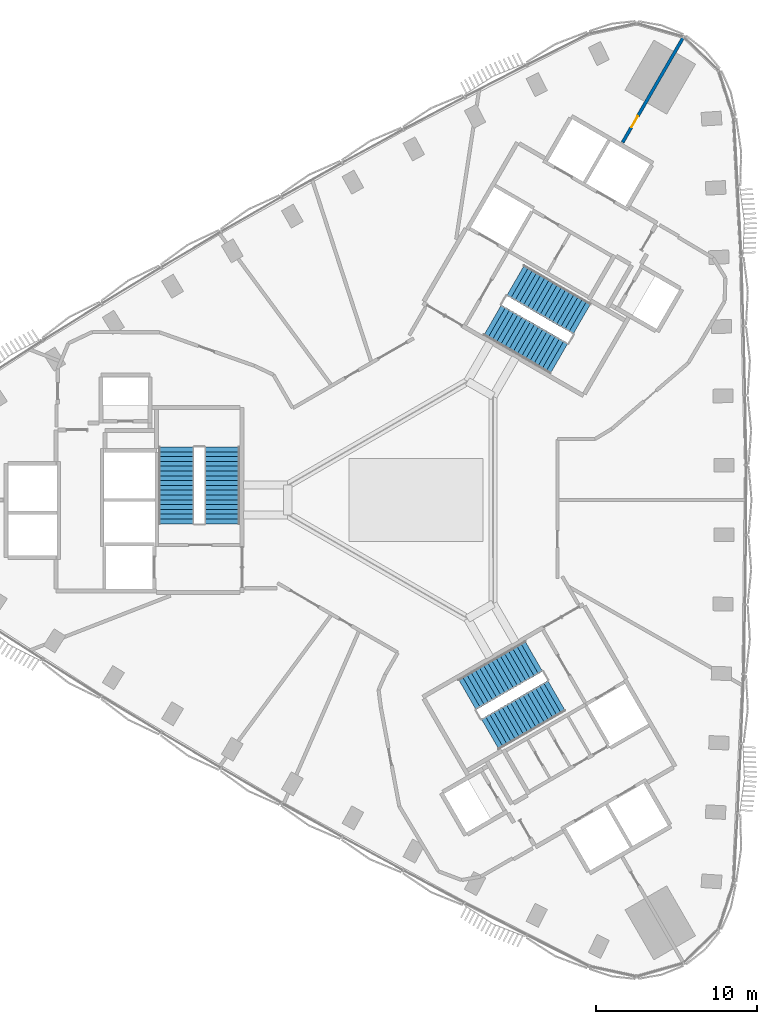
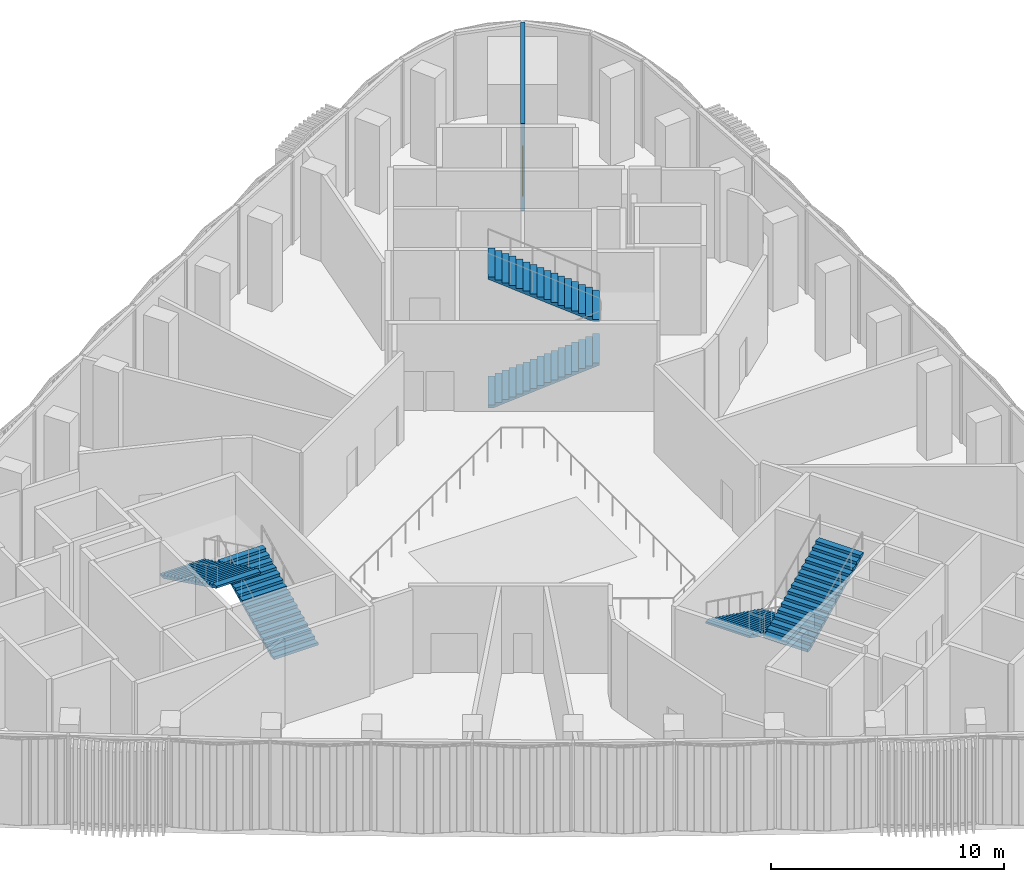
# One storey, part 11 of 17: 6 stair flights, 1 door, 1 wall, 1 opening, 3 elements without a shape of their own.
"""IFC4 building model written with IfcOpenShell, lengths in metres."""

import ifcopenshell
import ifcopenshell.guid

model = None  # the IFC model being written
_history = None  # IfcOwnerHistory: only IFC2X3 demands one
_inside = {}  # id of a spatial element -> (the spatial element, [elements in it])
_under = {}  # id of a project, library or spatial element -> (it, [spatial elements below it])
_declared = {}  # id of a project -> (the project, [libraries it declares])
_typed = {}  # id of a type object -> (the type object, [elements of that type])
_made_of = {}  # id of a material, layer set ... -> (it, [elements and type objects made of it])


def new_model(schema):
    """Start an empty IFC model of exactly this schema.

    Asked for "IFC4X3", IfcOpenShell would pick the latest addendum, in which some entities
    have other attributes; the version numbers below select the first issue.
    IFC2X3 requires an IfcOwnerHistory on every rooted entity: one is made here for all.
    """
    global model, _history
    if schema == "IFC4X3":
        model = ifcopenshell.file(schema_version=(4, 3, 0, 0))
    else:
        model = ifcopenshell.file(schema=schema)
    _inside.clear()
    _under.clear()
    _declared.clear()
    _typed.clear()
    _made_of.clear()
    _history = None
    if model.schema == "IFC2X3":
        org = make("IfcOrganization", Name="unknown")
        user = make(
            "IfcPersonAndOrganization",
            ThePerson=make("IfcPerson", FamilyName="unknown"),
            TheOrganization=org,
        )
        app = make(
            "IfcApplication",
            ApplicationDeveloper=org,
            Version="unknown",
            ApplicationFullName="unknown",
            ApplicationIdentifier="unknown",
        )
        _history = make(
            "IfcOwnerHistory",
            OwningUser=user,
            OwningApplication=app,
            ChangeAction="ADDED",
            CreationDate=0,
        )
    return model


def make(cls, **values):
    """One entity of the class cls with the attributes given. An attribute that is None is left unset."""
    return model.create_entity(
        cls, **{name: value for name, value in values.items() if value is not None}
    )


def rooted(cls, **values):
    """An entity with a GlobalId (a new one), such as an element, a storey or a relation."""
    return make(cls, GlobalId=ifcopenshell.guid.new(), OwnerHistory=_history, **values)


def si_unit(unit_type, name, prefix=None):
    """IfcSIUnit, for example si_unit("LENGTHUNIT", "METRE", prefix="MILLI")."""
    return make("IfcSIUnit", UnitType=unit_type, Prefix=prefix, Name=name)


def assignment(units):
    """IfcUnitAssignment: the units of a project."""
    return None if units is None else make("IfcUnitAssignment", Units=units)


def point(xyz):
    """IfcCartesianPoint."""
    return None if xyz is None else make("IfcCartesianPoint", Coordinates=xyz)


def direction(xyz):
    """IfcDirection."""
    return None if xyz is None else make("IfcDirection", DirectionRatios=xyz)


def frame(location, z_axis=None, x_axis=None):
    """IfcAxis2Placement3D, a coordinate frame: its origin and axes. An axis left out is left unset."""
    return make(
        "IfcAxis2Placement3D",
        Location=point(location),
        Axis=direction(z_axis),
        RefDirection=direction(x_axis),
    )


def frame_2d(location, x_axis=None):
    """IfcAxis2Placement2D, a coordinate frame in the plane: its origin and x axis."""
    return make(
        "IfcAxis2Placement2D", Location=point(location), RefDirection=direction(x_axis)
    )


def origin():
    """The frame at (0, 0, 0) with its axes left unset."""
    return frame((0.0, 0.0, 0.0))


def place(relative_to, where):
    """IfcLocalPlacement: puts the frame where relative to a parent placement (None: the world)."""
    return make(
        "IfcLocalPlacement", PlacementRelTo=relative_to, RelativePlacement=where
    )


def context(
    kind, dimensions, precision=None, world=None, true_north=None, identifier=None
):
    """IfcGeometricRepresentationContext, for example the 3D "Model" context."""
    return make(
        "IfcGeometricRepresentationContext",
        ContextIdentifier=identifier,
        ContextType=kind,
        CoordinateSpaceDimension=dimensions,
        Precision=precision,
        WorldCoordinateSystem=world,
        TrueNorth=true_north,
    )


def subcontext(parent, identifier, kind, view, scale=None):
    """IfcGeometricRepresentationSubContext, for example "Body" below "Model"."""
    return make(
        "IfcGeometricRepresentationSubContext",
        ContextIdentifier=identifier,
        ContextType=kind,
        ParentContext=parent,
        TargetScale=scale,
        TargetView=view,
    )


def project(units=None, contexts=None):
    """IfcProject with its units and contexts."""
    return rooted(
        "IfcProject",
        Name="project",
        RepresentationContexts=contexts,
        UnitsInContext=assignment(units),
    )


def spatial(cls, under=None, at=None, **own):
    """A site, building, storey or space (cls), placed at a placement, below another one or the project."""
    s = rooted(cls, ObjectPlacement=at, **own)
    if under is not None:
        _under.setdefault(under.id(), (under, []))[1].append(s)
    return s


def polyline(points):
    """IfcPolyline through the points."""
    return make("IfcPolyline", Points=[point(p) for p in points])


def profile(cls, at=None, kind="AREA", **sizes):
    """A parametric profile (cls). Its sizes go by their IFC names, for example OverallWidth=200.0."""
    return make(cls, ProfileType=kind, Position=at, **sizes)


def rectangle(**sizes):
    """IfcRectangleProfileDef."""
    return profile("IfcRectangleProfileDef", **sizes)


def outline(outer, holes=None, kind="AREA"):
    """IfcArbitraryClosedProfileDef: a profile drawn as a closed curve; with holes, ...WithVoids."""
    if holes is None:
        return make("IfcArbitraryClosedProfileDef", ProfileType=kind, OuterCurve=outer)
    return make(
        "IfcArbitraryProfileDefWithVoids",
        ProfileType=kind,
        OuterCurve=outer,
        InnerCurves=holes,
    )


def extrude(swept, where, along, depth):
    """IfcExtrudedAreaSolid: the profile swept, set in the frame where, extruded along a direction by depth."""
    return make(
        "IfcExtrudedAreaSolid",
        SweptArea=swept,
        Position=where,
        ExtrudedDirection=direction(along),
        Depth=depth,
    )


def shape(context_of_items, identifier, shape_type, items):
    """IfcShapeRepresentation: the items that make up one representation, for example the "Body"."""
    return make(
        "IfcShapeRepresentation",
        ContextOfItems=context_of_items,
        RepresentationIdentifier=identifier,
        RepresentationType=shape_type,
        Items=items,
    )


def material(Name=None, Category=None):
    """IfcMaterial."""
    return make("IfcMaterial", Name=Name, Category=Category)


def layer(
    of_material, thickness, ventilated=None, Name=None, Category=None, Priority=None
):
    """IfcMaterialLayer: one layer of a wall or slab, of a material (None: an air gap)."""
    return make(
        "IfcMaterialLayer",
        Material=of_material,
        LayerThickness=thickness,
        IsVentilated=ventilated,
        Name=Name,
        Category=Category,
        Priority=Priority,
    )


def layer_set(layers, Name=None):
    """IfcMaterialLayerSet."""
    return make("IfcMaterialLayerSet", MaterialLayers=layers, LayerSetName=Name)


def made_of(thing, what):
    """Note that an element or type object is made of a material, layer set ...; save() writes the relation."""
    if what is not None:
        _made_of.setdefault(what.id(), (what, []))[1].append(thing)
    return thing


def type_object(cls, material=None, **own):
    """A type object (cls), such as IfcWallType, which elements share."""
    return made_of(rooted(cls, **own), material)


def element(
    cls,
    number,
    at=None,
    inside=None,
    cuts=None,
    type_object=None,
    material=None,
    context=None,
    identifier="Body",
    shape_type=None,
    held_by="IfcProductDefinitionShape",
    body=None,
    shapes=None,
    **own,
):
    """One element of the class cls, such as IfcWall. Its Tag is "e" and its number.

    at: its placement. inside: the storey or other place that contains it. cuts: it is an
    opening in that element (IfcRelVoidsElement). A single representation is given by context,
    identifier, shape_type and body (its items); several are given by shapes. held_by: the class
    of the entity that holds the representations. save() writes the other relations.
    """
    e = rooted(cls, Tag="e%d" % number, ObjectPlacement=at, **own)
    if body is not None:
        shapes = [shape(context, identifier, shape_type, body)]
    if shapes is not None:
        e.Representation = make(held_by, Representations=shapes)
    if inside is not None:
        _inside.setdefault(inside.id(), (inside, []))[1].append(e)
    if cuts is not None:
        rooted(
            "IfcRelVoidsElement", RelatingBuildingElement=cuts, RelatedOpeningElement=e
        )
    if type_object is not None:
        _typed.setdefault(type_object.id(), (type_object, []))[1].append(e)
    return made_of(e, material)


def fill(opening, filler):
    """IfcRelFillsElement: the door or window that sits in an opening."""
    return rooted(
        "IfcRelFillsElement",
        RelatingOpeningElement=opening,
        RelatedBuildingElement=filler,
    )


def aggregate(whole, parts):
    """IfcRelAggregates: a whole, such as a stair, and the parts it consists of."""
    return rooted("IfcRelAggregates", RelatingObject=whole, RelatedObjects=parts)


def save(model, path):
    """Write the relations noted so far, then the file.

    IfcRelAggregates (storeys below a building ...), IfcRelContainedInSpatialStructure (elements
    in a storey), IfcRelDefinesByType, IfcRelAssociatesMaterial and IfcRelDeclares: one each for
    every whole, place, type object, material and project.
    """
    for whole, parts in _under.values():
        aggregate(whole, parts)
    for where, things in _inside.values():
        rooted(
            "IfcRelContainedInSpatialStructure",
            RelatedElements=things,
            RelatingStructure=where,
        )
    for kind, things in _typed.values():
        rooted("IfcRelDefinesByType", RelatedObjects=things, RelatingType=kind)
    for what, things in _made_of.values():
        rooted("IfcRelAssociatesMaterial", RelatedObjects=things, RelatingMaterial=what)
    for by, libraries in _declared.values():
        rooted("IfcRelDeclares", RelatingContext=by, RelatedDefinitions=libraries)
    model.write(path)


model = new_model("IFC4")

# Units and contexts
model_context = context("Model", 3, precision=1e-05, world=origin(), true_north=direction((0.0, 1.0)))
body_context = subcontext(model_context, "Body", "Model", "MODEL_VIEW")
ifc_project = project(units=[si_unit("LENGTHUNIT", "METRE"), si_unit("AREAUNIT", "SQUARE_METRE"), si_unit("VOLUMEUNIT", "CUBIC_METRE"), si_unit("PLANEANGLEUNIT", "RADIAN"), si_unit("MASSUNIT", "GRAM", prefix="KILO")], contexts=[model_context])

# Site, building, storey
site_placement = place(None, origin())
site = spatial("IfcSite", under=ifc_project, at=site_placement, CompositionType="ELEMENT")
building_placement = place(site_placement, origin())
building = spatial("IfcBuilding", under=site, at=building_placement, Name="Tamra Quay Hotel Tower", CompositionType="ELEMENT")
storey_placement = place(building_placement, frame((0.0, 0.0, 123.800048828125)))
storey = spatial("IfcBuildingStorey", under=building, at=storey_placement, Name="L30", CompositionType="ELEMENT", Elevation=123.800048828125)

# Wall, opening, door
ifc_material_1 = material(Name="Partition party wall")
ifc_layer = layer(ifc_material_1, 0.199951171875)
ifc_layer_set = layer_set([ifc_layer], Name="Partition party wall")
wall_type = type_object("IfcWallType", Name="Partition party wall", PredefinedType="PARTITIONING", material=ifc_layer_set)
wall_placement = place(storey_placement, frame((12.861083984375, 22.276123046875, 0.0), z_axis=(0.0, 0.0, 1.0), x_axis=(0.500132837022, 0.865948696709, 0.0)))
wall = element("IfcWall", 1, at=wall_placement, inside=storey, type_object=wall_type, Name="W-P", PredefinedType="PARTITIONING", context=body_context, shape_type="SweptSolid", body=[
    extrude(rectangle(XDim=7.5869140625, YDim=0.199951171875, at=frame_2d((3.79345703125, 0.0))), origin(), (0.0, 0.0, 1.0), 4.599853515625),
])
opening_placement = place(wall_placement, frame((1.09228515625, 0.0, 0.0)))
opening = element("IfcOpeningElement", 2, at=opening_placement, cuts=wall, Name="Opening L30-D002", PredefinedType="OPENING", context=body_context, shape_type="SweptSolid", body=[
    extrude(rectangle(XDim=0.800048828125, YDim=2.10009765625, at=frame_2d((0.39990234375, 1.050048828125))), frame((0.0, 0.10986328125, 0.0), z_axis=(0.0, -1.0, 0.0), x_axis=(1.0, 0.0, 0.0)), (0.0, 0.0, 1.0), 0.219970703125),
])
ifc_material_2 = material(Name="Door service room 800x2100")
door_type = type_object("IfcDoorType", Name="Door service room 800x2100", OperationType="NOTDEFINED", PredefinedType="DOOR", material=ifc_material_2)
door_placement = place(opening_placement, origin())
door = element("IfcDoor", 3, at=door_placement, inside=storey, type_object=door_type, Name="L30-D002", OperationType="SINGLE_SWING_LEFT", OverallHeight=2.10009765625, OverallWidth=0.800048828125, PredefinedType="DOOR", context=body_context, shape_type="SweptSolid", body=[
    extrude(rectangle(XDim=0.800048828125, YDim=2.10009765625, at=frame_2d((0.39990234375, 1.050048828125))), frame((0.0, 0.02490234375, 0.0), z_axis=(0.0, -1.0, 0.0), x_axis=(1.0, 0.0, 0.0)), (0.0, 0.0, 1.0), 0.050048828125),
])
fill(opening, door)

# Stair, stair flights
ifc_material_3 = material(Name="Exit stair 2200 34 risers 147.1 going 299")
stair_type = type_object("IfcStairType", Name="Exit stair 2200 34 risers 147.1 going 299", PredefinedType="HALF_TURN_STAIR", material=ifc_material_3)
stair_1_placement = place(storey_placement, origin())
stair_1 = element("IfcStair", 4, at=stair_1_placement, inside=storey, type_object=stair_type, Name="L30 Exit stair ST3", PredefinedType="HALF_TURN_STAIR")
ifc_material_4 = material(Name="Exit stair flight 2200 17 risers 147.1")
stair_flight_type = type_object("IfcStairFlightType", Name="Exit stair flight 2200 17 risers 147.1", PredefinedType="STRAIGHT", material=ifc_material_4)
stair_flight_1_placement = place(storey_placement, frame((-12.082275390625, -1.47998046875, 0.0), z_axis=(0.0, 0.0, 1.0), x_axis=(0.0, 1.0, 0.0)))
stair_flight_1 = element("IfcStairFlight", 5, at=stair_flight_1_placement, type_object=stair_flight_type, Name="ST3 flight 1", NumberOfRisers=17, NumberOfTreads=16, PredefinedType="STRAIGHT", RiserHeight=0.147058824, TreadLength=0.299, context=body_context, shape_type="SweptSolid", body=[
    extrude(outline(polyline([(0.0, 0.0), (0.0, 0.14697265625), (0.299072265625, 0.14697265625), (0.299072265625, 0.294189453125), (0.597900390625, 0.294189453125), (0.597900390625, 0.441162109375), (0.89697265625, 0.441162109375), (0.89697265625, 0.588134765625), (1.196044921875, 0.588134765625), (1.196044921875, 0.7353515625), (1.4951171875, 0.7353515625), (1.4951171875, 0.88232421875), (1.7939453125, 0.88232421875), (1.7939453125, 1.029296875), (2.093017578125, 1.029296875), (2.093017578125, 1.176513671875), (2.39208984375, 1.176513671875), (2.39208984375, 1.323486328125), (2.69091796875, 1.323486328125), (2.69091796875, 1.470703125), (2.989990234375, 1.470703125), (2.989990234375, 1.61767578125), (3.2890625, 1.61767578125), (3.2890625, 1.7646484375), (3.587890625, 1.7646484375), (3.587890625, 1.911865234375), (3.886962890625, 1.911865234375), (3.886962890625, 2.058837890625), (4.18603515625, 2.058837890625), (4.18603515625, 2.205810546875), (4.485107421875, 2.205810546875), (4.485107421875, 2.35302734375), (4.783935546875, 2.35302734375), (4.783935546875, 2.5), (4.783935546875, 2.241455078125), (0.226806640625, 0.0), (0.0, 0.0)])), frame((0.0, 1.10009765625, 0.0), z_axis=(0.0, -1.0, 0.0), x_axis=(1.0, 0.0, 0.0)), (0.0, 0.0, 1.0), 2.199951171875),
])
stair_flight_2_placement = place(storey_placement, frame((-14.94140625, 3.303955078125, 2.5), z_axis=(0.0, 0.0, 1.0), x_axis=(0.0, -1.0, 0.0)))
stair_flight_2 = element("IfcStairFlight", 6, at=stair_flight_2_placement, type_object=stair_flight_type, Name="ST3 flight 2", NumberOfRisers=17, NumberOfTreads=16, PredefinedType="STRAIGHT", RiserHeight=0.147058824, TreadLength=0.299, context=body_context, shape_type="SweptSolid", body=[
    extrude(outline(polyline([(0.0, 0.0), (0.0, 0.14697265625), (0.299072265625, 0.14697265625), (0.299072265625, 0.294189453125), (0.597900390625, 0.294189453125), (0.597900390625, 0.441162109375), (0.89697265625, 0.441162109375), (0.89697265625, 0.588134765625), (1.196044921875, 0.588134765625), (1.196044921875, 0.7353515625), (1.4951171875, 0.7353515625), (1.4951171875, 0.88232421875), (1.7939453125, 0.88232421875), (1.7939453125, 1.029296875), (2.093017578125, 1.029296875), (2.093017578125, 1.176513671875), (2.39208984375, 1.176513671875), (2.39208984375, 1.323486328125), (2.69091796875, 1.323486328125), (2.69091796875, 1.470703125), (2.989990234375, 1.470703125), (2.989990234375, 1.61767578125), (3.2890625, 1.61767578125), (3.2890625, 1.7646484375), (3.587890625, 1.7646484375), (3.587890625, 1.911865234375), (3.886962890625, 1.911865234375), (3.886962890625, 2.058837890625), (4.18603515625, 2.058837890625), (4.18603515625, 2.205810546875), (4.485107421875, 2.205810546875), (4.485107421875, 2.35302734375), (4.783935546875, 2.35302734375), (4.783935546875, 2.5), (4.783935546875, 2.241455078125), (0.226806640625, 0.0), (0.0, 0.0)])), frame((0.0, 1.10009765625, 0.0), z_axis=(0.0, -1.0, 0.0), x_axis=(1.0, 0.0, 0.0)), (0.0, 0.0, 1.0), 2.199951171875),
])
aggregate(stair_1, [stair_flight_1, stair_flight_2])

stair_2_placement = place(storey_placement, origin())
stair_2 = element("IfcStair", 7, at=stair_2_placement, inside=storey, type_object=stair_type, Name="L30 Exit stair ST1", PredefinedType="HALF_TURN_STAIR")
stair_flight_3_placement = place(storey_placement, frame((4.75927734375, 11.20361328125, 0.0), z_axis=(0.0, 0.0, 1.0), x_axis=(0.866025403784, -0.5, 0.0)))
stair_flight_3 = element("IfcStairFlight", 8, at=stair_flight_3_placement, type_object=stair_flight_type, Name="ST1 flight 1", NumberOfRisers=17, NumberOfTreads=16, PredefinedType="STRAIGHT", RiserHeight=0.147058824, TreadLength=0.299, context=body_context, shape_type="SweptSolid", body=[
    extrude(outline(polyline([(0.0, 0.0), (0.0, 0.14697265625), (0.299072265625, 0.14697265625), (0.299072265625, 0.294189453125), (0.597900390625, 0.294189453125), (0.597900390625, 0.441162109375), (0.89697265625, 0.441162109375), (0.89697265625, 0.588134765625), (1.196044921875, 0.588134765625), (1.196044921875, 0.7353515625), (1.4951171875, 0.7353515625), (1.4951171875, 0.88232421875), (1.7939453125, 0.88232421875), (1.7939453125, 1.029296875), (2.093017578125, 1.029296875), (2.093017578125, 1.176513671875), (2.39208984375, 1.176513671875), (2.39208984375, 1.323486328125), (2.69091796875, 1.323486328125), (2.69091796875, 1.470703125), (2.989990234375, 1.470703125), (2.989990234375, 1.61767578125), (3.2890625, 1.61767578125), (3.2890625, 1.7646484375), (3.587890625, 1.7646484375), (3.587890625, 1.911865234375), (3.886962890625, 1.911865234375), (3.886962890625, 2.058837890625), (4.18603515625, 2.058837890625), (4.18603515625, 2.205810546875), (4.485107421875, 2.205810546875), (4.485107421875, 2.35302734375), (4.783935546875, 2.35302734375), (4.783935546875, 2.5), (4.783935546875, 2.241455078125), (0.226806640625, 0.0), (0.0, 0.0)])), frame((0.0, 1.10009765625, 0.0), z_axis=(0.0, -1.0, 0.0), x_axis=(1.0, 0.0, 0.0)), (0.0, 0.0, 1.0), 2.199951171875),
])
stair_flight_4_placement = place(storey_placement, frame((10.331787109375, 11.28759765625, 2.5), z_axis=(0.0, 0.0, 1.0), x_axis=(-0.866025403784, 0.5, 0.0)))
stair_flight_4 = element("IfcStairFlight", 9, at=stair_flight_4_placement, type_object=stair_flight_type, Name="ST1 flight 2", NumberOfRisers=17, NumberOfTreads=16, PredefinedType="STRAIGHT", RiserHeight=0.147058824, TreadLength=0.299, context=body_context, shape_type="SweptSolid", body=[
    extrude(outline(polyline([(0.0, 0.0), (0.0, 0.14697265625), (0.299072265625, 0.14697265625), (0.299072265625, 0.294189453125), (0.597900390625, 0.294189453125), (0.597900390625, 0.441162109375), (0.89697265625, 0.441162109375), (0.89697265625, 0.588134765625), (1.196044921875, 0.588134765625), (1.196044921875, 0.7353515625), (1.4951171875, 0.7353515625), (1.4951171875, 0.88232421875), (1.7939453125, 0.88232421875), (1.7939453125, 1.029296875), (2.093017578125, 1.029296875), (2.093017578125, 1.176513671875), (2.39208984375, 1.176513671875), (2.39208984375, 1.323486328125), (2.69091796875, 1.323486328125), (2.69091796875, 1.470703125), (2.989990234375, 1.470703125), (2.989990234375, 1.61767578125), (3.2890625, 1.61767578125), (3.2890625, 1.7646484375), (3.587890625, 1.7646484375), (3.587890625, 1.911865234375), (3.886962890625, 1.911865234375), (3.886962890625, 2.058837890625), (4.18603515625, 2.058837890625), (4.18603515625, 2.205810546875), (4.485107421875, 2.205810546875), (4.485107421875, 2.35302734375), (4.783935546875, 2.35302734375), (4.783935546875, 2.5), (4.783935546875, 2.241455078125), (0.226806640625, 0.0), (0.0, 0.0)])), frame((0.0, 1.10009765625, 0.0), z_axis=(0.0, -1.0, 0.0), x_axis=(1.0, 0.0, 0.0)), (0.0, 0.0, 1.0), 2.199951171875),
])
aggregate(stair_2, [stair_flight_3, stair_flight_4])

stair_3_placement = place(storey_placement, origin())
stair_3 = element("IfcStair", 10, at=stair_3_placement, inside=storey, type_object=stair_type, Name="L30 Exit stair ST2", PredefinedType="HALF_TURN_STAIR")
stair_flight_5_placement = place(storey_placement, frame((7.322998046875, -9.7236328125, 0.0), z_axis=(0.0, 0.0, 1.0), x_axis=(-0.866025403784, -0.5, 0.0)))
stair_flight_5 = element("IfcStairFlight", 11, at=stair_flight_5_placement, type_object=stair_flight_type, Name="ST2 flight 1", NumberOfRisers=17, NumberOfTreads=16, PredefinedType="STRAIGHT", RiserHeight=0.147058824, TreadLength=0.299, context=body_context, shape_type="SweptSolid", body=[
    extrude(outline(polyline([(0.0, 0.0), (0.0, 0.14697265625), (0.299072265625, 0.14697265625), (0.299072265625, 0.294189453125), (0.597900390625, 0.294189453125), (0.597900390625, 0.441162109375), (0.89697265625, 0.441162109375), (0.89697265625, 0.588134765625), (1.196044921875, 0.588134765625), (1.196044921875, 0.7353515625), (1.4951171875, 0.7353515625), (1.4951171875, 0.88232421875), (1.7939453125, 0.88232421875), (1.7939453125, 1.029296875), (2.093017578125, 1.029296875), (2.093017578125, 1.176513671875), (2.39208984375, 1.176513671875), (2.39208984375, 1.323486328125), (2.69091796875, 1.323486328125), (2.69091796875, 1.470703125), (2.989990234375, 1.470703125), (2.989990234375, 1.61767578125), (3.2890625, 1.61767578125), (3.2890625, 1.7646484375), (3.587890625, 1.7646484375), (3.587890625, 1.911865234375), (3.886962890625, 1.911865234375), (3.886962890625, 2.058837890625), (4.18603515625, 2.058837890625), (4.18603515625, 2.205810546875), (4.485107421875, 2.205810546875), (4.485107421875, 2.35302734375), (4.783935546875, 2.35302734375), (4.783935546875, 2.5), (4.783935546875, 2.241455078125), (0.226806640625, 0.0), (0.0, 0.0)])), frame((0.0, 1.10009765625, 0.0), z_axis=(0.0, -1.0, 0.0), x_axis=(1.0, 0.0, 0.0)), (0.0, 0.0, 1.0), 2.199951171875),
])
stair_flight_6_placement = place(storey_placement, frame((4.609375, -14.591552734375, 2.5), z_axis=(0.0, 0.0, 1.0), x_axis=(0.866025403784, 0.5, 0.0)))
stair_flight_6 = element("IfcStairFlight", 12, at=stair_flight_6_placement, type_object=stair_flight_type, Name="ST2 flight 2", NumberOfRisers=17, NumberOfTreads=16, PredefinedType="STRAIGHT", RiserHeight=0.147058824, TreadLength=0.299, context=body_context, shape_type="SweptSolid", body=[
    extrude(outline(polyline([(0.0, 0.0), (0.0, 0.14697265625), (0.299072265625, 0.14697265625), (0.299072265625, 0.294189453125), (0.597900390625, 0.294189453125), (0.597900390625, 0.441162109375), (0.89697265625, 0.441162109375), (0.89697265625, 0.588134765625), (1.196044921875, 0.588134765625), (1.196044921875, 0.7353515625), (1.4951171875, 0.7353515625), (1.4951171875, 0.88232421875), (1.7939453125, 0.88232421875), (1.7939453125, 1.029296875), (2.093017578125, 1.029296875), (2.093017578125, 1.176513671875), (2.39208984375, 1.176513671875), (2.39208984375, 1.323486328125), (2.69091796875, 1.323486328125), (2.69091796875, 1.470703125), (2.989990234375, 1.470703125), (2.989990234375, 1.61767578125), (3.2890625, 1.61767578125), (3.2890625, 1.7646484375), (3.587890625, 1.7646484375), (3.587890625, 1.911865234375), (3.886962890625, 1.911865234375), (3.886962890625, 2.058837890625), (4.18603515625, 2.058837890625), (4.18603515625, 2.205810546875), (4.485107421875, 2.205810546875), (4.485107421875, 2.35302734375), (4.783935546875, 2.35302734375), (4.783935546875, 2.5), (4.783935546875, 2.241455078125), (0.226806640625, 0.0), (0.0, 0.0)])), frame((0.0, 1.10009765625, 0.0), z_axis=(0.0, -1.0, 0.0), x_axis=(1.0, 0.0, 0.0)), (0.0, 0.0, 1.0), 2.199951171875),
])
aggregate(stair_3, [stair_flight_5, stair_flight_6])

save(model, "model.ifc")
